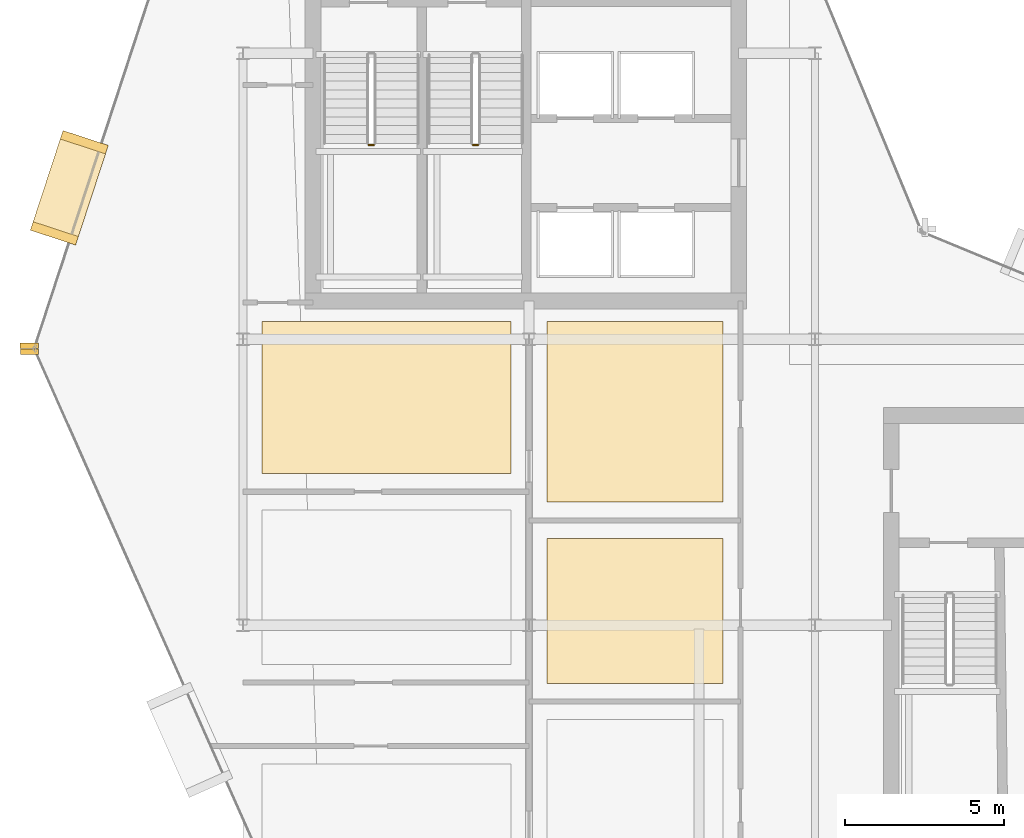
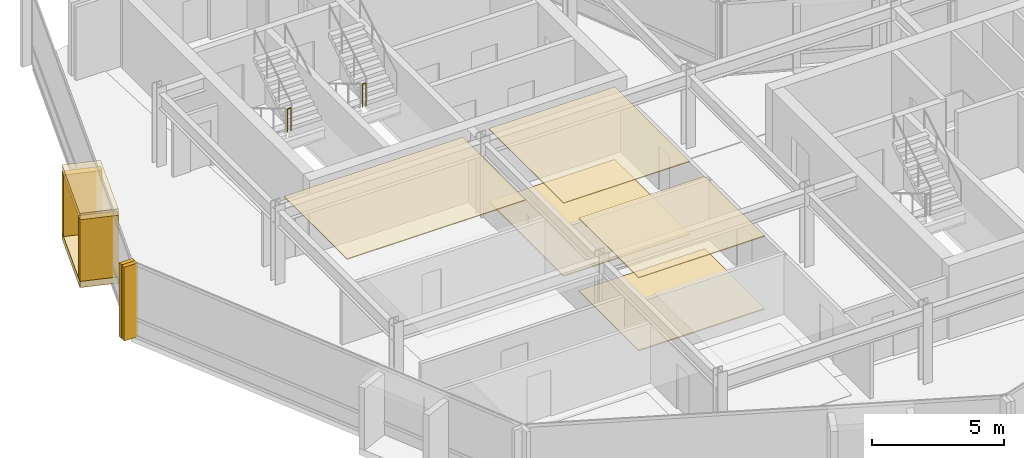
# One storey, part 24 of 28: 11 coverings, 2 railings.
"""IFC4 building model written with IfcOpenShell, lengths in metres."""

from ifc_helpers import new_model, si_unit, direction, frame, origin, origin_2d, place, context, subcontext, project, spatial, polyline, rectangle, circle, outline, extrude, material, layer, layer_set, type_object, element, save


model = new_model("IFC4")

# Units and contexts
model_context = context("Model", 3, precision=1e-05, world=origin(), true_north=direction((0.0, 1.0)))
body_context = subcontext(model_context, "Body", "Model", "MODEL_VIEW")
ifc_project = project(units=[si_unit("LENGTHUNIT", "METRE"), si_unit("AREAUNIT", "SQUARE_METRE"), si_unit("VOLUMEUNIT", "CUBIC_METRE"), si_unit("PLANEANGLEUNIT", "RADIAN"), si_unit("MASSUNIT", "GRAM", prefix="KILO")], contexts=[model_context])

# Site, building, storey
site_placement = place(None, origin())
site = spatial("IfcSite", under=ifc_project, at=site_placement, CompositionType="ELEMENT")
building_placement = place(site_placement, origin())
building = spatial("IfcBuilding", under=site, at=building_placement, Name="Solvaryn Broadcast Tower", CompositionType="ELEMENT")
storey_placement = place(building_placement, frame((0.0, 0.0, 209.89990234375)))
storey = spatial("IfcBuildingStorey", under=building, at=storey_placement, Name="L52", CompositionType="ELEMENT", Elevation=209.89990234375)

# Coverings
ifc_material_1 = material(Name="Micro-Perforated Acoustic Gypsum Ceiling", Category="concrete")
ifc_layer_1 = layer(ifc_material_1, 0.0400390625)
ifc_layer_set_1 = layer_set([ifc_layer_1], Name="CV-CEIL-ACOUSTIC")
covering_type_1 = type_object("IfcCoveringType", Name="CV-CEIL-ACOUSTIC", PredefinedType="CEILING", material=ifc_layer_set_1)
covering_1_placement = place(storey_placement, frame((0.0, 0.0, 3.380126953125)))
element("IfcCovering", 1, at=covering_1_placement, inside=storey, type_object=covering_type_1, Name="L52 Room Acoustic Ceiling 2", PredefinedType="CEILING", context=body_context, shape_type="SweptSolid", body=[
    extrude(outline(polyline([(18.570068359375, 16.169921875), (24.10009765625, 16.169921875), (24.10009765625, 20.72998046875), (18.570068359375, 20.72998046875), (18.570068359375, 16.169921875)])), origin(), (0.0, 0.0, 1.0), 0.0400390625),
])
covering_2_placement = place(storey_placement, frame((0.0, 0.0, 3.380126953125)))
element("IfcCovering", 2, at=covering_2_placement, inside=storey, type_object=covering_type_1, Name="L52 Room Acoustic Ceiling 3", PredefinedType="CEILING", context=body_context, shape_type="SweptSolid", body=[
    extrude(outline(polyline([(18.570068359375, 21.8701171875), (24.10009765625, 21.8701171875), (24.10009765625, 27.56005859375), (18.570068359375, 27.56005859375), (18.570068359375, 21.8701171875)])), origin(), (0.0, 0.0, 1.0), 0.0400390625),
])
covering_3_placement = place(storey_placement, frame((0.0, 0.0, 3.380126953125)))
element("IfcCovering", 3, at=covering_3_placement, inside=storey, type_object=covering_type_1, Name="L52 Room Acoustic Ceiling 6", PredefinedType="CEILING", context=body_context, shape_type="SweptSolid", body=[
    extrude(outline(polyline([(9.60009765625, 22.77001953125), (17.429931640625, 22.77001953125), (17.429931640625, 27.56005859375), (9.60009765625, 27.56005859375), (9.60009765625, 22.77001953125)])), origin(), (0.0, 0.0, 1.0), 0.0400390625),
])
ifc_material_2 = material(Name="Newsroom Raised Data Access Flooring", Category="steel")
ifc_layer_2 = layer(ifc_material_2, 0.050048828125)
ifc_layer_set_2 = layer_set([ifc_layer_2], Name="CV-FLOOR-RAISED")
covering_type_2 = type_object("IfcCoveringType", Name="CV-FLOOR-RAISED", PredefinedType="FLOORING", material=ifc_layer_set_2)
covering_4_placement = place(storey_placement, origin())
element("IfcCovering", 4, at=covering_4_placement, inside=storey, type_object=covering_type_2, Name="L52 Room Acoustic Floor Finish 2", PredefinedType="FLOORING", context=body_context, shape_type="SweptSolid", body=[
    extrude(outline(polyline([(18.570068359375, 16.169921875), (24.10009765625, 16.169921875), (24.10009765625, 20.72998046875), (18.570068359375, 20.72998046875), (18.570068359375, 16.169921875)])), origin(), (0.0, 0.0, 1.0), 0.050048828125),
])
covering_5_placement = place(storey_placement, origin())
element("IfcCovering", 5, at=covering_5_placement, inside=storey, type_object=covering_type_2, Name="L52 Room Acoustic Floor Finish 3", PredefinedType="FLOORING", context=body_context, shape_type="SweptSolid", body=[
    extrude(outline(polyline([(18.570068359375, 21.8701171875), (24.10009765625, 21.8701171875), (24.10009765625, 27.56005859375), (18.570068359375, 27.56005859375), (18.570068359375, 21.8701171875)])), origin(), (0.0, 0.0, 1.0), 0.050048828125),
])
ifc_material_3 = material(Name="Glazed Architectural Terracotta Rainscreen Cladding", Category="masonry")
ifc_layer_3 = layer(ifc_material_3, 0.280029296875)
ifc_layer_set_3 = layer_set([ifc_layer_3], Name="CV-TC-CLAD")
covering_type_3 = type_object("IfcCoveringType", Name="CV-TC-CLAD", PredefinedType="CLADDING", material=ifc_layer_set_3)
for number, where, z_axis, x_axis, name in (
    (6, (3.533935546875, 31.763916015625, 3.1298828125), (0.0, 0.0, 1.0), (-0.311505792684, -0.950244253402, 0.0), "L52 Projecting Stone Window Box Hood 1"),
    (7, (3.533935546875, 31.763916015625, -0.009765625), (0.0, 0.0, 1.0), (-0.311505792684, -0.950244253402, 0.0), "L52 Projecting Stone Window Box Sill 1"),
):
    element("IfcCovering", number, at=place(storey_placement, frame(where, z_axis=z_axis, x_axis=x_axis)), inside=storey, type_object=covering_type_3, Name=name, PredefinedType="CLADDING", context=body_context, shape_type="SweptSolid", body=[
        extrude(rectangle(XDim=3.300048828125, YDim=1.5, at=origin_2d()), origin(), (0.0, 0.0, 1.0), 0.300048828125),
    ])
for number, where, z_axis, x_axis, name in (
    (8, (4.00439453125, 33.198974609375, 0.2802734375), (0.0, 0.0, 1.0), (-0.311505792684, -0.950244253402, 0.0), "L52 Projecting Stone Window Box Cheek 1-1"),
    (9, (3.063720703125, 30.3291015625, 0.2802734375), (0.0, 0.0, 1.0), (-0.311505792684, -0.950244253402, 0.0), "L52 Projecting Stone Window Box Cheek 1-2"),
):
    element("IfcCovering", number, at=place(storey_placement, frame(where, z_axis=z_axis, x_axis=x_axis)), inside=storey, type_object=covering_type_3, Name=name, PredefinedType="CLADDING", context=body_context, shape_type="SweptSolid", body=[
        extrude(rectangle(XDim=0.280029296875, YDim=1.5, at=origin_2d()), origin(), (0.0, 0.0, 1.0), 2.860107421875),
    ])
ifc_material_4 = material(Name="Extruded Architectural Terracotta Fin", Category="masonry")
ifc_layer_4 = layer(ifc_material_4, 0.179931640625)
ifc_layer_set_4 = layer_set([ifc_layer_4], Name="CV-TC-FIN")
covering_type_4 = type_object("IfcCoveringType", Name="CV-TC-FIN", PredefinedType="USERDEFINED", material=ifc_layer_set_4)
for number, where, z_axis, x_axis, name in (
    (10, (2.271240234375, 26.790771484375, 0.000244140625), (0.0, 0.0, 1.0), (1.0, 0.0, 0.0), "L52 Terracotta Vertical Fin FIN-L52-DR1-M01"),
    (11, (2.281005859375, 26.605712890625, 0.000244140625), (0.0, 0.0, 1.0), (1.0, 0.0, 0.0), "L52 Terracotta Vertical Fin FIN-L52-DR2-M00"),
):
    element("IfcCovering", number, at=place(storey_placement, frame(where, z_axis=z_axis, x_axis=x_axis)), inside=storey, type_object=covering_type_4, Name=name, ObjectType="FIN", PredefinedType="USERDEFINED", context=body_context, shape_type="SweptSolid", body=[
        extrude(rectangle(XDim=0.580078125, YDim=0.179931640625, at=origin_2d()), origin(), (0.0, 0.0, 1.0), 3.419921875),
    ])

# Railings
ifc_material_5 = material(Name="Painted Steel Stair Well Guard", Category="steel")
railing_type = type_object("IfcRailingType", Name="RL-STAIR-GUARD", PredefinedType="BALUSTRADE", material=ifc_material_5)
railing_1_placement = place(storey_placement, frame((12.9599609375, 33.110107421875, 1.85009765625)))
element("IfcRailing", 12, at=railing_1_placement, inside=storey, type_object=railing_type, Name="L52 ST1 stair guard 2", PredefinedType="BALUSTRADE", context=body_context, shape_type="SweptSolid", body=[
    extrude(circle(Radius=0.02392578125, at=origin_2d()), frame((0.0, 0.0, 1.076171875), z_axis=(1.0, 0.0, 0.0), x_axis=(0.0, 1.0, 0.0)), (0.0, 0.0, 1.0), 0.150146484375),
    extrude(circle(Radius=0.02099609375, at=origin_2d()), origin(), (0.0, 0.0, 1.0), 1.052001953125),
    extrude(circle(Radius=0.02099609375, at=origin_2d()), frame((0.150146484375, 0.0, 0.0)), (0.0, 0.0, 1.0), 1.052001953125),
])
railing_2_placement = place(storey_placement, frame((16.239990234375, 33.110107421875, 1.85009765625)))
element("IfcRailing", 13, at=railing_2_placement, inside=storey, type_object=railing_type, Name="L52 ST2 stair guard 2", PredefinedType="BALUSTRADE", context=body_context, shape_type="SweptSolid", body=[
    extrude(circle(Radius=0.02392578125, at=origin_2d()), frame((0.0, 0.0, 1.076171875), z_axis=(1.0, 0.0, 0.0), x_axis=(0.0, 1.0, 0.0)), (0.0, 0.0, 1.0), 0.14990234375),
    extrude(circle(Radius=0.02099609375, at=origin_2d()), origin(), (0.0, 0.0, 1.0), 1.052001953125),
    extrude(circle(Radius=0.02099609375, at=origin_2d()), frame((0.14990234375, 0.0, 0.0)), (0.0, 0.0, 1.0), 1.052001953125),
])

save(model, "model.ifc")
